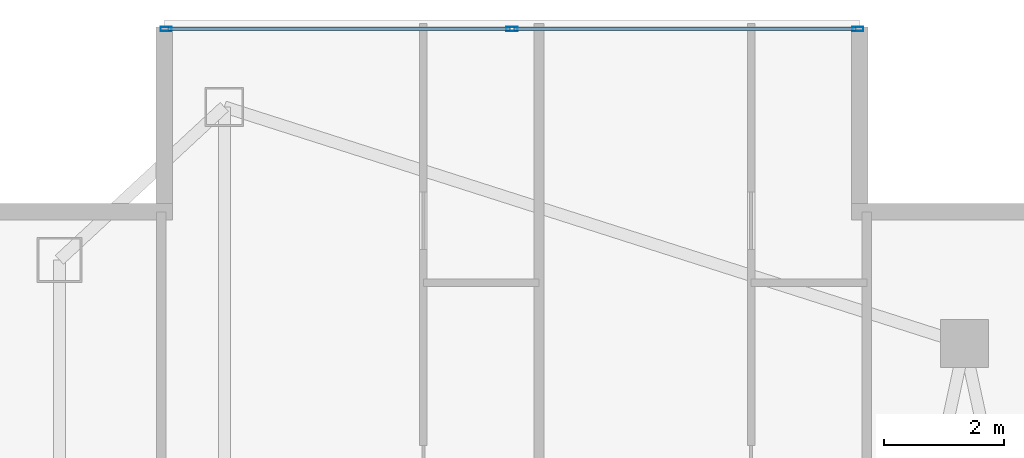
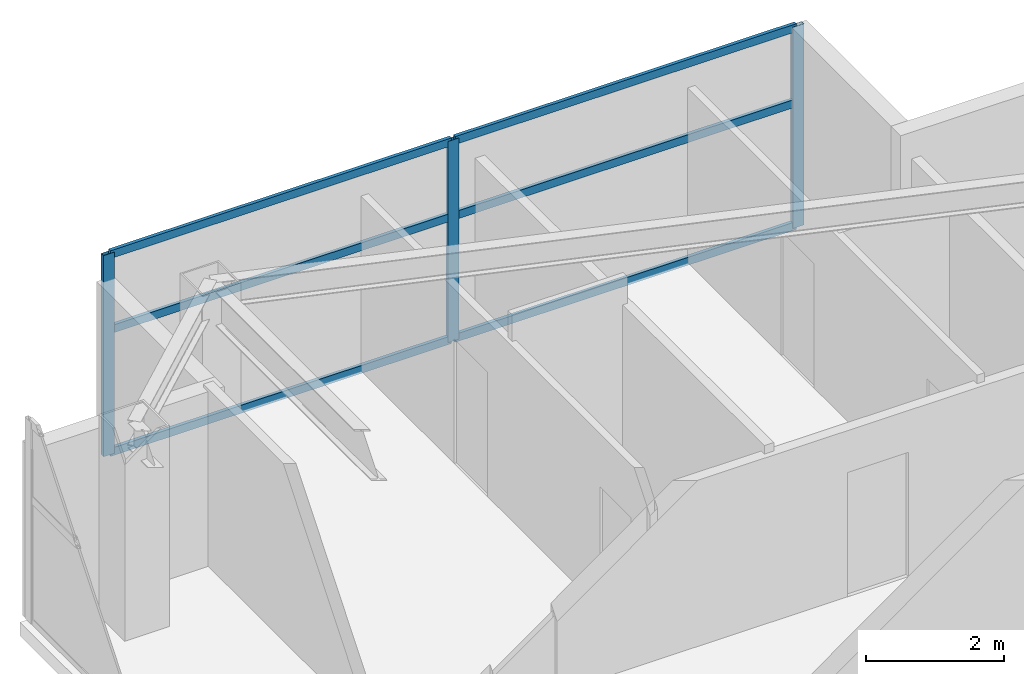
# One storey, part 19 of 27: 9 members, 1 element without a shape of its own.
"""IFC4 building model written with IfcOpenShell, lengths in metres."""

import ifcopenshell
import ifcopenshell.guid

model = None  # the IFC model being written
_history = None  # IfcOwnerHistory: only IFC2X3 demands one
_inside = {}  # id of a spatial element -> (the spatial element, [elements in it])
_under = {}  # id of a project, library or spatial element -> (it, [spatial elements below it])
_declared = {}  # id of a project -> (the project, [libraries it declares])
_typed = {}  # id of a type object -> (the type object, [elements of that type])
_made_of = {}  # id of a material, layer set ... -> (it, [elements and type objects made of it])


def new_model(schema):
    """Start an empty IFC model of exactly this schema.

    Asked for "IFC4X3", IfcOpenShell would pick the latest addendum, in which some entities
    have other attributes; the version numbers below select the first issue.
    IFC2X3 requires an IfcOwnerHistory on every rooted entity: one is made here for all.
    """
    global model, _history
    if schema == "IFC4X3":
        model = ifcopenshell.file(schema_version=(4, 3, 0, 0))
    else:
        model = ifcopenshell.file(schema=schema)
    _inside.clear()
    _under.clear()
    _declared.clear()
    _typed.clear()
    _made_of.clear()
    _history = None
    if model.schema == "IFC2X3":
        org = make("IfcOrganization", Name="unknown")
        user = make(
            "IfcPersonAndOrganization",
            ThePerson=make("IfcPerson", FamilyName="unknown"),
            TheOrganization=org,
        )
        app = make(
            "IfcApplication",
            ApplicationDeveloper=org,
            Version="unknown",
            ApplicationFullName="unknown",
            ApplicationIdentifier="unknown",
        )
        _history = make(
            "IfcOwnerHistory",
            OwningUser=user,
            OwningApplication=app,
            ChangeAction="ADDED",
            CreationDate=0,
        )
    return model


def make(cls, **values):
    """One entity of the class cls with the attributes given. An attribute that is None is left unset."""
    return model.create_entity(
        cls, **{name: value for name, value in values.items() if value is not None}
    )


def rooted(cls, **values):
    """An entity with a GlobalId (a new one), such as an element, a storey or a relation."""
    return make(cls, GlobalId=ifcopenshell.guid.new(), OwnerHistory=_history, **values)


def si_unit(unit_type, name, prefix=None):
    """IfcSIUnit, for example si_unit("LENGTHUNIT", "METRE", prefix="MILLI")."""
    return make("IfcSIUnit", UnitType=unit_type, Prefix=prefix, Name=name)


def assignment(units):
    """IfcUnitAssignment: the units of a project."""
    return None if units is None else make("IfcUnitAssignment", Units=units)


def point(xyz):
    """IfcCartesianPoint."""
    return None if xyz is None else make("IfcCartesianPoint", Coordinates=xyz)


def direction(xyz):
    """IfcDirection."""
    return None if xyz is None else make("IfcDirection", DirectionRatios=xyz)


def frame(location, z_axis=None, x_axis=None):
    """IfcAxis2Placement3D, a coordinate frame: its origin and axes. An axis left out is left unset."""
    return make(
        "IfcAxis2Placement3D",
        Location=point(location),
        Axis=direction(z_axis),
        RefDirection=direction(x_axis),
    )


def frame_2d(location, x_axis=None):
    """IfcAxis2Placement2D, a coordinate frame in the plane: its origin and x axis."""
    return make(
        "IfcAxis2Placement2D", Location=point(location), RefDirection=direction(x_axis)
    )


def origin():
    """The frame at (0, 0, 0) with its axes left unset."""
    return frame((0.0, 0.0, 0.0))


def origin_2d():
    """The frame at (0, 0) in the plane with its x axis left unset."""
    return frame_2d((0.0, 0.0))


def place(relative_to, where):
    """IfcLocalPlacement: puts the frame where relative to a parent placement (None: the world)."""
    return make(
        "IfcLocalPlacement", PlacementRelTo=relative_to, RelativePlacement=where
    )


def context(
    kind, dimensions, precision=None, world=None, true_north=None, identifier=None
):
    """IfcGeometricRepresentationContext, for example the 3D "Model" context."""
    return make(
        "IfcGeometricRepresentationContext",
        ContextIdentifier=identifier,
        ContextType=kind,
        CoordinateSpaceDimension=dimensions,
        Precision=precision,
        WorldCoordinateSystem=world,
        TrueNorth=true_north,
    )


def subcontext(parent, identifier, kind, view, scale=None):
    """IfcGeometricRepresentationSubContext, for example "Body" below "Model"."""
    return make(
        "IfcGeometricRepresentationSubContext",
        ContextIdentifier=identifier,
        ContextType=kind,
        ParentContext=parent,
        TargetScale=scale,
        TargetView=view,
    )


def project(units=None, contexts=None):
    """IfcProject with its units and contexts."""
    return rooted(
        "IfcProject",
        Name="project",
        RepresentationContexts=contexts,
        UnitsInContext=assignment(units),
    )


def spatial(cls, under=None, at=None, **own):
    """A site, building, storey or space (cls), placed at a placement, below another one or the project."""
    s = rooted(cls, ObjectPlacement=at, **own)
    if under is not None:
        _under.setdefault(under.id(), (under, []))[1].append(s)
    return s


def profile(cls, at=None, kind="AREA", **sizes):
    """A parametric profile (cls). Its sizes go by their IFC names, for example OverallWidth=200.0."""
    return make(cls, ProfileType=kind, Position=at, **sizes)


def hollow_rectangle(**sizes):
    """IfcRectangleHollowProfileDef."""
    return profile("IfcRectangleHollowProfileDef", **sizes)


def extrude(swept, where, along, depth):
    """IfcExtrudedAreaSolid: the profile swept, set in the frame where, extruded along a direction by depth."""
    return make(
        "IfcExtrudedAreaSolid",
        SweptArea=swept,
        Position=where,
        ExtrudedDirection=direction(along),
        Depth=depth,
    )


def shape(context_of_items, identifier, shape_type, items):
    """IfcShapeRepresentation: the items that make up one representation, for example the "Body"."""
    return make(
        "IfcShapeRepresentation",
        ContextOfItems=context_of_items,
        RepresentationIdentifier=identifier,
        RepresentationType=shape_type,
        Items=items,
    )


def material(Name=None, Category=None):
    """IfcMaterial."""
    return make("IfcMaterial", Name=Name, Category=Category)


def layer(
    of_material, thickness, ventilated=None, Name=None, Category=None, Priority=None
):
    """IfcMaterialLayer: one layer of a wall or slab, of a material (None: an air gap)."""
    return make(
        "IfcMaterialLayer",
        Material=of_material,
        LayerThickness=thickness,
        IsVentilated=ventilated,
        Name=Name,
        Category=Category,
        Priority=Priority,
    )


def layer_set(layers, Name=None):
    """IfcMaterialLayerSet."""
    return make("IfcMaterialLayerSet", MaterialLayers=layers, LayerSetName=Name)


def material_profile(
    of_material, cross_section, Name=None, Category=None, Priority=None
):
    """IfcMaterialProfile: a cross section and its material."""
    return make(
        "IfcMaterialProfile",
        Name=Name,
        Material=of_material,
        Profile=cross_section,
        Priority=Priority,
        Category=Category,
    )


def profile_set(profiles, Name=None, composite=None):
    """IfcMaterialProfileSet."""
    return make(
        "IfcMaterialProfileSet",
        Name=Name,
        MaterialProfiles=profiles,
        CompositeProfile=composite,
    )


def made_of(thing, what):
    """Note that an element or type object is made of a material, layer set ...; save() writes the relation."""
    if what is not None:
        _made_of.setdefault(what.id(), (what, []))[1].append(thing)
    return thing


def type_object(cls, material=None, **own):
    """A type object (cls), such as IfcWallType, which elements share."""
    return made_of(rooted(cls, **own), material)


def element(
    cls,
    number,
    at=None,
    inside=None,
    cuts=None,
    type_object=None,
    material=None,
    context=None,
    identifier="Body",
    shape_type=None,
    held_by="IfcProductDefinitionShape",
    body=None,
    shapes=None,
    **own,
):
    """One element of the class cls, such as IfcWall. Its Tag is "e" and its number.

    at: its placement. inside: the storey or other place that contains it. cuts: it is an
    opening in that element (IfcRelVoidsElement). A single representation is given by context,
    identifier, shape_type and body (its items); several are given by shapes. held_by: the class
    of the entity that holds the representations. save() writes the other relations.
    """
    e = rooted(cls, Tag="e%d" % number, ObjectPlacement=at, **own)
    if body is not None:
        shapes = [shape(context, identifier, shape_type, body)]
    if shapes is not None:
        e.Representation = make(held_by, Representations=shapes)
    if inside is not None:
        _inside.setdefault(inside.id(), (inside, []))[1].append(e)
    if cuts is not None:
        rooted(
            "IfcRelVoidsElement", RelatingBuildingElement=cuts, RelatedOpeningElement=e
        )
    if type_object is not None:
        _typed.setdefault(type_object.id(), (type_object, []))[1].append(e)
    return made_of(e, material)


def aggregate(whole, parts):
    """IfcRelAggregates: a whole, such as a stair, and the parts it consists of."""
    return rooted("IfcRelAggregates", RelatingObject=whole, RelatedObjects=parts)


def save(model, path):
    """Write the relations noted so far, then the file.

    IfcRelAggregates (storeys below a building ...), IfcRelContainedInSpatialStructure (elements
    in a storey), IfcRelDefinesByType, IfcRelAssociatesMaterial and IfcRelDeclares: one each for
    every whole, place, type object, material and project.
    """
    for whole, parts in _under.values():
        aggregate(whole, parts)
    for where, things in _inside.values():
        rooted(
            "IfcRelContainedInSpatialStructure",
            RelatedElements=things,
            RelatingStructure=where,
        )
    for kind, things in _typed.values():
        rooted("IfcRelDefinesByType", RelatedObjects=things, RelatingType=kind)
    for what, things in _made_of.values():
        rooted("IfcRelAssociatesMaterial", RelatedObjects=things, RelatingMaterial=what)
    for by, libraries in _declared.values():
        rooted("IfcRelDeclares", RelatingContext=by, RelatedDefinitions=libraries)
    model.write(path)


model = new_model("IFC4")

# Units and contexts
model_context = context("Model", 3, precision=1e-05, world=origin(), true_north=direction((0.0, 1.0)))
body_context = subcontext(model_context, "Body", "Model", "MODEL_VIEW")
ifc_project = project(units=[si_unit("LENGTHUNIT", "METRE"), si_unit("AREAUNIT", "SQUARE_METRE"), si_unit("VOLUMEUNIT", "CUBIC_METRE"), si_unit("PLANEANGLEUNIT", "RADIAN"), si_unit("MASSUNIT", "GRAM", prefix="KILO")], contexts=[model_context])

# Site, building, storey
site_placement = place(None, origin())
site = spatial("IfcSite", under=ifc_project, at=site_placement, CompositionType="ELEMENT")
building_placement = place(site_placement, origin())
building = spatial("IfcBuilding", under=site, at=building_placement, Name="Calvorn Quay Hotel", CompositionType="ELEMENT")
storey_placement = place(building_placement, frame((0.0, 0.0, 226.89990234375)))
storey = spatial("IfcBuildingStorey", under=building, at=storey_placement, Name="L56", CompositionType="ELEMENT", Elevation=226.89990234375)

# Curtain wall, members
ifc_material_1 = material(Name="Champagne Bronze Anodised Aluminium and Low-E Glass", Category="aluminium")
ifc_layer = layer(ifc_material_1, 0.219970703125)
ifc_layer_set = layer_set([ifc_layer], Name="CW-SYS-Z3")
curtain_wall_type = type_object("IfcCurtainWallType", Name="CW-SYS-Z3", PredefinedType="NOTDEFINED", material=ifc_layer_set)
curtain_wall_placement = place(storey_placement, origin())
curtain_wall = element("IfcCurtainWall", 1, at=curtain_wall_placement, inside=storey, type_object=curtain_wall_type, Name="Inner Court Curtain Wall L56-N1", PredefinedType="NOTDEFINED")
ifc_material_2 = material(Name="Champagne Bronze Anodised Aluminium 6063-T6", Category="aluminium")
ifc_material_profile_1 = material_profile(ifc_material_2, hollow_rectangle(XDim=0.068115234375, YDim=0.18505859375, WallThickness=0.00390625, at=origin_2d()), Name="ALU-M185x68x4")
ifc_profile_set_1 = profile_set([ifc_material_profile_1], Name="Champagne Bronze Anodised Aluminium 6063-T6")
member_type_1 = type_object("IfcMemberType", Name="CW-SYS-Z3-MUL", PredefinedType="MULLION", material=ifc_profile_set_1)
member_1_placement = place(storey_placement, frame((14.77001953125, 50.85009765625, 0.0), z_axis=(0.0, 0.0, 1.0), x_axis=(0.0, -1.0, 0.0)))
member_1 = element("IfcMember", 2, at=member_1_placement, type_object=member_type_1, Name="CW-L56-N1 mullion 1", PredefinedType="MULLION", context=body_context, shape_type="SweptSolid", body=[
    extrude(hollow_rectangle(XDim=0.068115234375, YDim=0.18505859375, WallThickness=0.00390625, at=origin_2d()), origin(), (0.0, 0.0, 1.0), 3.56005859375),
])
member_2_placement = place(storey_placement, frame((9.0, 50.85009765625, 0.0), z_axis=(0.0, 0.0, 1.0), x_axis=(0.0, -1.0, 0.0)))
member_2 = element("IfcMember", 3, at=member_2_placement, type_object=member_type_1, Name="CW-L56-N1 mullion 2", PredefinedType="MULLION", context=body_context, shape_type="SweptSolid", body=[
    extrude(hollow_rectangle(XDim=0.068115234375, YDim=0.18505859375, WallThickness=0.00390625, at=origin_2d()), origin(), (0.0, 0.0, 1.0), 3.56005859375),
])
member_3_placement = place(storey_placement, frame((3.22998046875, 50.85009765625, 0.0), z_axis=(0.0, 0.0, 1.0), x_axis=(0.0, -1.0, 0.0)))
member_3 = element("IfcMember", 4, at=member_3_placement, type_object=member_type_1, Name="CW-L56-N1 mullion 3", PredefinedType="MULLION", context=body_context, shape_type="SweptSolid", body=[
    extrude(hollow_rectangle(XDim=0.068115234375, YDim=0.18505859375, WallThickness=0.00390625, at=origin_2d()), origin(), (0.0, 0.0, 1.0), 3.56005859375),
])
ifc_material_3 = material(Name="Champagne Bronze Anodised Aluminium 6063-T6", Category="aluminium")
ifc_material_profile_2 = material_profile(ifc_material_3, hollow_rectangle(XDim=0.05810546875, YDim=0.139892578125, WallThickness=0.003173828125, at=origin_2d()), Name="ALU-T140x58x3.2")
ifc_profile_set_2 = profile_set([ifc_material_profile_2], Name="Champagne Bronze Anodised Aluminium 6063-T6")
member_type_2 = type_object("IfcMemberType", Name="CW-SYS-Z3-TRN", PredefinedType="USERDEFINED", material=ifc_profile_set_2)
member_4_placement = place(storey_placement, frame((14.739990234375, 50.85009765625, 0.030029296875), z_axis=(-1.0, 0.0, 0.0), x_axis=(0.0, -1.0, 0.0)))
member_4 = element("IfcMember", 5, at=member_4_placement, type_object=member_type_2, Name="CW-L56-N1 transom 1.1", ObjectType="TRANSOM", PredefinedType="USERDEFINED", context=body_context, shape_type="SweptSolid", body=[
    extrude(hollow_rectangle(XDim=0.05810546875, YDim=0.139892578125, WallThickness=0.003173828125, at=origin_2d()), origin(), (0.0, 0.0, 1.0), 5.7099609375),
])
member_5_placement = place(storey_placement, frame((14.739990234375, 50.85009765625, 2.2001953125), z_axis=(-1.0, 0.0, 0.0), x_axis=(0.0, -1.0, 0.0)))
member_5 = element("IfcMember", 6, at=member_5_placement, type_object=member_type_2, Name="CW-L56-N1 transom 1.2", ObjectType="TRANSOM", PredefinedType="USERDEFINED", context=body_context, shape_type="SweptSolid", body=[
    extrude(hollow_rectangle(XDim=0.05810546875, YDim=0.139892578125, WallThickness=0.003173828125, at=origin_2d()), origin(), (0.0, 0.0, 1.0), 5.7099609375),
])
member_6_placement = place(storey_placement, frame((14.739990234375, 50.85009765625, 3.530029296875), z_axis=(-1.0, 0.0, 0.0), x_axis=(0.0, -1.0, 0.0)))
member_6 = element("IfcMember", 7, at=member_6_placement, type_object=member_type_2, Name="CW-L56-N1 transom 1.3", ObjectType="TRANSOM", PredefinedType="USERDEFINED", context=body_context, shape_type="SweptSolid", body=[
    extrude(hollow_rectangle(XDim=0.05810546875, YDim=0.139892578125, WallThickness=0.003173828125, at=origin_2d()), origin(), (0.0, 0.0, 1.0), 5.7099609375),
])
member_7_placement = place(storey_placement, frame((8.969970703125, 50.85009765625, 0.030029296875), z_axis=(-1.0, 0.0, 0.0), x_axis=(0.0, -1.0, 0.0)))
member_7 = element("IfcMember", 8, at=member_7_placement, type_object=member_type_2, Name="CW-L56-N1 transom 2.1", ObjectType="TRANSOM", PredefinedType="USERDEFINED", context=body_context, shape_type="SweptSolid", body=[
    extrude(hollow_rectangle(XDim=0.05810546875, YDim=0.139892578125, WallThickness=0.003173828125, at=origin_2d()), origin(), (0.0, 0.0, 1.0), 5.7099609375),
])
member_8_placement = place(storey_placement, frame((8.969970703125, 50.85009765625, 2.2001953125), z_axis=(-1.0, 0.0, 0.0), x_axis=(0.0, -1.0, 0.0)))
member_8 = element("IfcMember", 9, at=member_8_placement, type_object=member_type_2, Name="CW-L56-N1 transom 2.2", ObjectType="TRANSOM", PredefinedType="USERDEFINED", context=body_context, shape_type="SweptSolid", body=[
    extrude(hollow_rectangle(XDim=0.05810546875, YDim=0.139892578125, WallThickness=0.003173828125, at=origin_2d()), origin(), (0.0, 0.0, 1.0), 5.7099609375),
])
member_9_placement = place(storey_placement, frame((8.969970703125, 50.85009765625, 3.530029296875), z_axis=(-1.0, 0.0, 0.0), x_axis=(0.0, -1.0, 0.0)))
member_9 = element("IfcMember", 10, at=member_9_placement, type_object=member_type_2, Name="CW-L56-N1 transom 2.3", ObjectType="TRANSOM", PredefinedType="USERDEFINED", context=body_context, shape_type="SweptSolid", body=[
    extrude(hollow_rectangle(XDim=0.05810546875, YDim=0.139892578125, WallThickness=0.003173828125, at=origin_2d()), origin(), (0.0, 0.0, 1.0), 5.7099609375),
])
aggregate(curtain_wall, [member_1, member_2, member_3, member_4, member_5, member_6, member_7, member_8, member_9])

save(model, "model.ifc")
